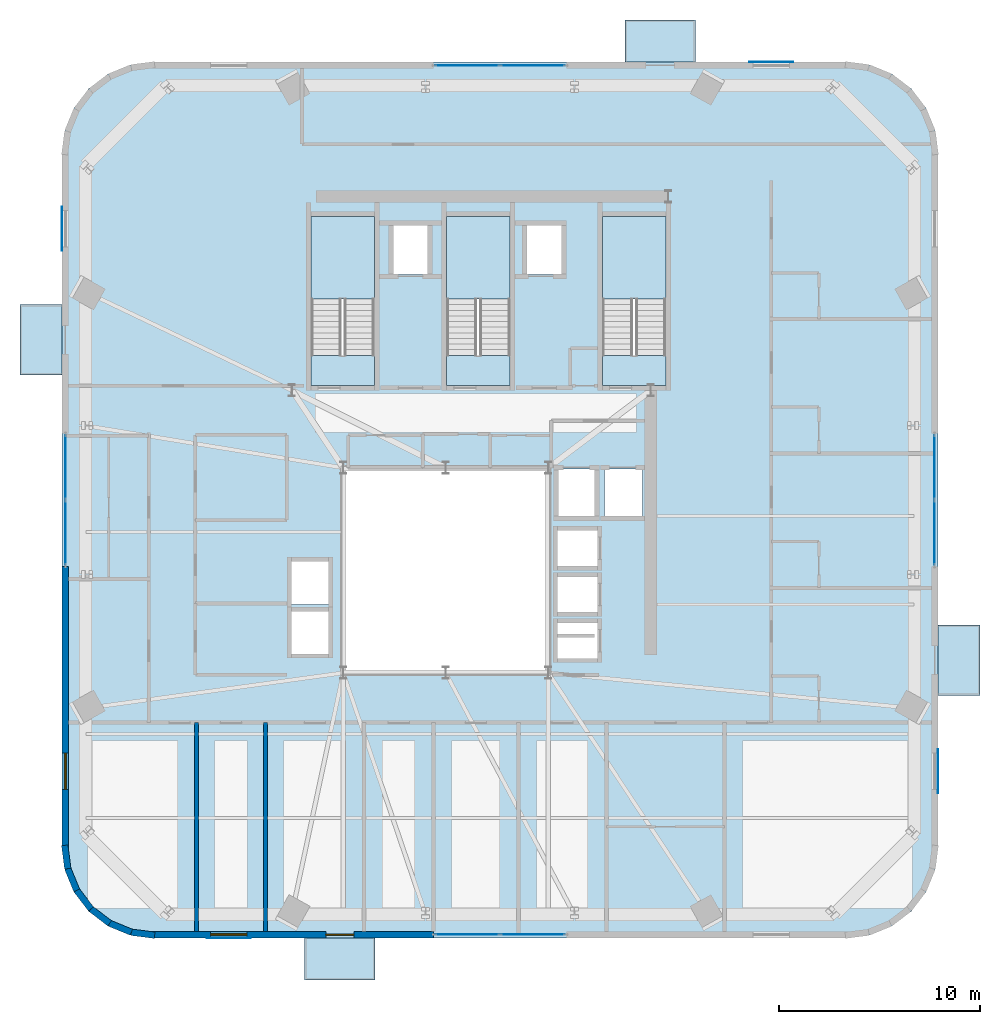
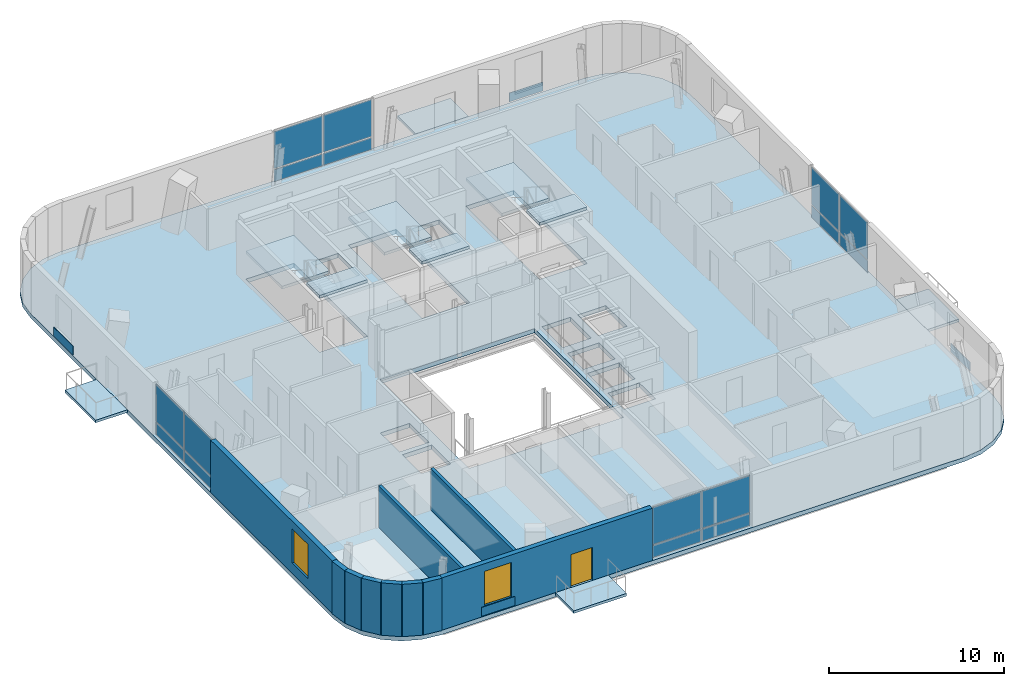
# One storey, part 6 of 14: 20 plates, 11 slabs, 10 walls, 2 windows, 1 door, 3 openings, 7 elements without a shape of their own.
"""IFC4 building model written with IfcOpenShell, lengths in metres."""

from ifc_helpers import new_model, si_unit, direction, frame, frame_2d, origin, origin_2d, place, context, subcontext, project, spatial, polyline, rectangle, outline, extrude, source, transform, mapped, material, layer, layer_set, type_object, element, fill, aggregate, save


model = new_model("IFC4")

# Units and contexts
model_context = context("Model", 3, precision=1e-05, world=origin(), true_north=direction((0.0, 1.0)))
body_context = subcontext(model_context, "Body", "Model", "MODEL_VIEW")
ifc_project = project(units=[si_unit("LENGTHUNIT", "METRE"), si_unit("AREAUNIT", "SQUARE_METRE"), si_unit("VOLUMEUNIT", "CUBIC_METRE"), si_unit("PLANEANGLEUNIT", "RADIAN"), si_unit("MASSUNIT", "GRAM", prefix="KILO")], contexts=[model_context])

# Site, building, storey
site_placement = place(None, origin())
site = spatial("IfcSite", under=ifc_project, at=site_placement, CompositionType="ELEMENT")
building_placement = place(site_placement, origin())
building = spatial("IfcBuilding", under=site, at=building_placement, Name="Vardaveli Station Tower", CompositionType="ELEMENT")
storey_placement = place(building_placement, frame((0.0, 0.0, 266.39990234375)))
storey = spatial("IfcBuildingStorey", under=building, at=storey_placement, Name="L68", CompositionType="ELEMENT", Elevation=266.39990234375)

# Stair, slabs
ifc_material_1 = material(Name="Concrete C40/50", Category="concrete")
stair_type = type_object("IfcStairType", Name="STR-CORE-1500", PredefinedType="HALF_TURN_STAIR", material=ifc_material_1)
stair_1_placement = place(storey_placement, origin())
stair_1 = element("IfcStair", 1, at=stair_1_placement, inside=storey, type_object=stair_type, Name="L68 ST-1", PredefinedType="HALF_TURN_STAIR")
ifc_layer_1 = layer(ifc_material_1, 0.199951171875, Name="Concrete C40/50")
ifc_layer_set_1 = layer_set([ifc_layer_1], Name="Concrete C40/50")
slab_type_1 = type_object("IfcSlabType", Name="SLB-LAND-200", PredefinedType="LANDING", material=ifc_layer_set_1)
slab_1_placement = place(storey_placement, frame((0.0, 0.0, 1.775146484375)))
slab_1 = element("IfcSlab", 2, at=slab_1_placement, type_object=slab_type_1, Name="ST-1 landing 1", PredefinedType="LANDING", context=body_context, shape_type="SweptSolid", body=[
    extrude(outline(polyline([(32.75, 35.199951171875), (32.75, 39.300048828125), (29.60009765625, 39.300048828125), (29.60009765625, 35.199951171875), (32.75, 35.199951171875)])), origin(), (0.0, 0.0, 1.0), 0.199951171875),
])
slab_2_placement = place(storey_placement, frame((0.0, 0.0, 3.75)))
slab_2 = element("IfcSlab", 3, at=slab_2_placement, type_object=slab_type_1, Name="ST-1 landing 2", PredefinedType="LANDING", context=body_context, shape_type="SweptSolid", body=[
    extrude(outline(polyline([(32.75, 30.89990234375), (32.75, 32.39990234375), (29.60009765625, 32.39990234375), (29.60009765625, 30.89990234375), (32.75, 30.89990234375)])), origin(), (0.0, 0.0, 1.0), 0.2001953125),
])
aggregate(stair_1, [slab_1, slab_2])

stair_2_placement = place(storey_placement, origin())
stair_2 = element("IfcStair", 4, at=stair_2_placement, inside=storey, type_object=stair_type, Name="L68 ST-2", PredefinedType="HALF_TURN_STAIR")
slab_3_placement = place(storey_placement, frame((0.0, 0.0, 1.775146484375)))
slab_3 = element("IfcSlab", 5, at=slab_3_placement, type_object=slab_type_1, Name="ST-2 landing 1", PredefinedType="LANDING", context=body_context, shape_type="SweptSolid", body=[
    extrude(outline(polyline([(39.5, 35.199951171875), (39.5, 39.300048828125), (36.35009765625, 39.300048828125), (36.35009765625, 35.199951171875), (39.5, 35.199951171875)])), origin(), (0.0, 0.0, 1.0), 0.199951171875),
])
slab_4_placement = place(storey_placement, frame((0.0, 0.0, 3.75)))
slab_4 = element("IfcSlab", 6, at=slab_4_placement, type_object=slab_type_1, Name="ST-2 landing 2", PredefinedType="LANDING", context=body_context, shape_type="SweptSolid", body=[
    extrude(outline(polyline([(39.5, 30.89990234375), (39.5, 32.39990234375), (36.35009765625, 32.39990234375), (36.35009765625, 30.89990234375), (39.5, 30.89990234375)])), origin(), (0.0, 0.0, 1.0), 0.2001953125),
])
aggregate(stair_2, [slab_3, slab_4])

stair_3_placement = place(storey_placement, origin())
stair_3 = element("IfcStair", 7, at=stair_3_placement, inside=storey, type_object=stair_type, Name="L68 ST-3", PredefinedType="HALF_TURN_STAIR")
slab_5_placement = place(storey_placement, frame((0.0, 0.0, 1.775146484375)))
slab_5 = element("IfcSlab", 8, at=slab_5_placement, type_object=slab_type_1, Name="ST-3 landing 1", PredefinedType="LANDING", context=body_context, shape_type="SweptSolid", body=[
    extrude(outline(polyline([(47.25, 35.199951171875), (47.25, 39.300048828125), (44.10009765625, 39.300048828125), (44.10009765625, 35.199951171875), (47.25, 35.199951171875)])), origin(), (0.0, 0.0, 1.0), 0.199951171875),
])
slab_6_placement = place(storey_placement, frame((0.0, 0.0, 3.75)))
slab_6 = element("IfcSlab", 9, at=slab_6_placement, type_object=slab_type_1, Name="ST-3 landing 2", PredefinedType="LANDING", context=body_context, shape_type="SweptSolid", body=[
    extrude(outline(polyline([(47.25, 30.89990234375), (47.25, 32.39990234375), (44.10009765625, 32.39990234375), (44.10009765625, 30.89990234375), (47.25, 30.89990234375)])), origin(), (0.0, 0.0, 1.0), 0.2001953125),
])
aggregate(stair_3, [slab_5, slab_6])

# Slabs
ifc_material_2 = material(Name="Precast concrete C45/55", Category="concrete")
ifc_layer_2 = layer(ifc_material_2, 0.179931640625, Name="Precast concrete C45/55")
ifc_layer_set_2 = layer_set([ifc_layer_2], Name="Precast concrete C45/55")
slab_type_2 = type_object("IfcSlabType", Name="SLB-LOGGIA-180", PredefinedType="FLOOR", material=ifc_layer_set_2)
slab_7_placement = place(storey_placement, frame((0.0, 0.0, -0.179931640625)))
element("IfcSlab", 10, at=slab_7_placement, inside=storey, type_object=slab_type_2, Name="LOG-L68-S", PredefinedType="FLOOR", context=body_context, shape_type="SweptSolid", body=[
    extrude(outline(polyline([(29.282470703125, 1.320068359375), (32.782470703125, 1.320068359375), (32.782470703125, 3.419921875), (29.282470703125, 3.419921875), (29.282470703125, 1.320068359375)])), origin(), (0.0, 0.0, 1.0), 0.179931640625),
])
slab_8_placement = place(storey_placement, frame((0.0, 0.0, -0.179931640625)))
element("IfcSlab", 11, at=slab_8_placement, inside=storey, type_object=slab_type_2, Name="LOG-L68-N", PredefinedType="FLOOR", context=body_context, shape_type="SweptSolid", body=[
    extrude(outline(polyline([(45.217529296875, 46.97998046875), (48.717529296875, 46.97998046875), (48.717529296875, 49.080078125), (45.217529296875, 49.080078125), (45.217529296875, 46.97998046875)])), origin(), (0.0, 0.0, 1.0), 0.179931640625),
])
slab_9_placement = place(storey_placement, frame((0.0, 0.0, -0.179931640625)))
element("IfcSlab", 12, at=slab_9_placement, inside=storey, type_object=slab_type_2, Name="LOG-L68-W", PredefinedType="FLOOR", context=body_context, shape_type="SweptSolid", body=[
    extrude(outline(polyline([(15.1201171875, 31.41748046875), (17.219970703125, 31.41748046875), (17.219970703125, 34.91748046875), (15.1201171875, 34.91748046875), (15.1201171875, 31.41748046875)])), origin(), (0.0, 0.0, 1.0), 0.179931640625),
])
slab_10_placement = place(storey_placement, frame((0.0, 0.0, -0.179931640625)))
element("IfcSlab", 13, at=slab_10_placement, inside=storey, type_object=slab_type_2, Name="LOG-L68-E", PredefinedType="FLOOR", context=body_context, shape_type="SweptSolid", body=[
    extrude(outline(polyline([(60.780029296875, 15.482421875), (62.8798828125, 15.482421875), (62.8798828125, 18.982421875), (60.780029296875, 18.982421875), (60.780029296875, 15.482421875)])), origin(), (0.0, 0.0, 1.0), 0.179931640625),
])
ifc_material_3 = material(Name="Concrete C50/60", Category="concrete")
ifc_layer_3 = layer(ifc_material_3, 0.300048828125, Name="Concrete C50/60")
ifc_layer_set_3 = layer_set([ifc_layer_3], Name="Concrete C50/60")
slab_type_3 = type_object("IfcSlabType", Name="SLB-REF-300", PredefinedType="FLOOR", material=ifc_layer_set_3)
slab_11_placement = place(storey_placement, frame((0.0, 0.0, -0.2998046875)))
element("IfcSlab", 14, at=slab_11_placement, inside=storey, type_object=slab_type_3, Name="SLB-L68-MAIN", PredefinedType="FLOOR", context=body_context, shape_type="SweptSolid", body=[
    extrude(outline(polyline([(17.219970703125, 7.919921875), (17.373291015625, 6.75537109375), (17.822998046875, 5.669921875), (18.5380859375, 4.738037109375), (19.469970703125, 4.02294921875), (20.555419921875, 3.5732421875), (21.719970703125, 3.419921875), (56.280029296875, 3.419921875), (57.444580078125, 3.5732421875), (58.530029296875, 4.02294921875), (59.4619140625, 4.738037109375), (60.177001953125, 5.669921875), (60.626708984375, 6.75537109375), (60.780029296875, 7.919921875), (60.780029296875, 42.47998046875), (60.626708984375, 43.644775390625), (60.177001953125, 44.72998046875), (59.4619140625, 45.661865234375), (58.530029296875, 46.377197265625), (57.444580078125, 46.82666015625), (56.280029296875, 46.97998046875), (21.719970703125, 46.97998046875), (20.555419921875, 46.82666015625), (19.469970703125, 46.377197265625), (18.5380859375, 45.661865234375), (17.822998046875, 44.72998046875), (17.373291015625, 43.644775390625), (17.219970703125, 42.47998046875), (17.219970703125, 7.919921875)]), holes=[polyline([(31.199951171875, 16.60009765625), (41.39990234375, 16.60009765625), (41.39990234375, 26.800048828125), (31.199951171875, 26.800048828125), (31.199951171875, 16.60009765625)]), polyline([(32.75, 30.89990234375), (32.75, 39.300048828125), (29.60009765625, 39.300048828125), (29.60009765625, 30.89990234375), (32.75, 30.89990234375)]), polyline([(39.5, 30.89990234375), (39.5, 39.300048828125), (36.35009765625, 39.300048828125), (36.35009765625, 30.89990234375), (39.5, 30.89990234375)]), polyline([(47.25, 30.89990234375), (47.25, 39.300048828125), (44.10009765625, 39.300048828125), (44.10009765625, 30.89990234375), (47.25, 30.89990234375)]), polyline([(33.659912109375, 36.409912109375), (35.43994140625, 36.409912109375), (35.43994140625, 38.889892578125), (33.659912109375, 38.889892578125), (33.659912109375, 36.409912109375)]), polyline([(40.31005859375, 36.409912109375), (42.090087890625, 36.409912109375), (42.090087890625, 38.889892578125), (40.31005859375, 38.889892578125), (40.31005859375, 36.409912109375)]), polyline([(41.81005859375, 21.885009765625), (43.889892578125, 21.885009765625), (43.889892578125, 23.715087890625), (41.81005859375, 23.715087890625), (41.81005859375, 21.885009765625)]), polyline([(41.81005859375, 19.5849609375), (43.889892578125, 19.5849609375), (43.889892578125, 21.4150390625), (41.81005859375, 21.4150390625), (41.81005859375, 19.5849609375)]), polyline([(41.81005859375, 17.284912109375), (43.889892578125, 17.284912109375), (43.889892578125, 19.114990234375), (41.81005859375, 19.114990234375), (41.81005859375, 17.284912109375)]), polyline([(28.5849609375, 17.510009765625), (30.514892578125, 17.510009765625), (30.514892578125, 19.68994140625), (28.5849609375, 19.68994140625), (28.5849609375, 17.510009765625)]), polyline([(28.5849609375, 20.010009765625), (30.514892578125, 20.010009765625), (30.514892578125, 22.18994140625), (28.5849609375, 22.18994140625), (28.5849609375, 20.010009765625)]), polyline([(41.860107421875, 24.360107421875), (43.739990234375, 24.360107421875), (43.739990234375, 26.739990234375), (41.860107421875, 26.739990234375), (41.860107421875, 24.360107421875)]), polyline([(44.2099609375, 24.360107421875), (46.090087890625, 24.360107421875), (46.090087890625, 26.739990234375), (44.2099609375, 26.739990234375), (44.2099609375, 24.360107421875)])]), origin(), (0.0, 0.0, 1.0), 0.2998046875),
])

# Plates
ifc_material_4 = material(Name="Honed Caucasian travertine stone", Category="masonry")
ifc_layer_4 = layer(ifc_material_4, 0.034912109375, Name="Honed Caucasian travertine stone")
ifc_layer_set_4 = layer_set([ifc_layer_4], Name="Honed Caucasian travertine stone")
plate_type_1 = type_object("IfcPlateType", Name="PLT-TRAV-35", PredefinedType="SHEET", material=ifc_layer_set_4)
shared_shape_1 = source(origin(), body_context, "Body", "SweptSolid", [
    extrude(rectangle(XDim=2.199951171875, YDim=0.034912109375, at=origin_2d()), origin(), (0.0, 0.0, 1.0), 0.6201171875),
])
for number, where, z_axis, x_axis, name in (
    (15, (25.5009765625, 3.410400390625, 0.070068359375), (0.0, 0.0, 1.0), (1.0, 0.0, 0.0), "PLT-TR-L68-S"),
    (16, (52.4990234375, 46.989501953125, 0.070068359375), (0.0, 0.0, 1.0), (1.0, 0.0, 0.0), "PLT-TR-L68-N"),
    (17, (17.21044921875, 38.698974609375, 0.070068359375), (0.0, 0.0, 1.0), (0.0, 1.0, 0.0), "PLT-TR-L68-W"),
    (18, (60.78955078125, 11.700927734375, 0.070068359375), (0.0, 0.0, 1.0), (0.0, 1.0, 0.0), "PLT-TR-L68-E"),
):
    element("IfcPlate", number, at=place(storey_placement, frame(where, z_axis=z_axis, x_axis=x_axis)), inside=storey, type_object=plate_type_1, Name=name, PredefinedType="SHEET", context=body_context, shape_type="MappedRepresentation", body=[
        mapped(shared_shape_1, transform((0.0, 0.0, 0.0), scale=1.0)),
    ])

# Curtain wall, plates
ifc_material_5 = material(Name="Travertine stone and solar-control glass", Category="masonry")
curtain_wall_type = type_object("IfcCurtainWallType", Name="CW-SYS-5", PredefinedType="NOTDEFINED", material=ifc_material_5)
curtain_wall_1_placement = place(storey_placement, origin())
curtain_wall_1 = element("IfcCurtainWall", 19, at=curtain_wall_1_placement, inside=storey, type_object=curtain_wall_type, Name="CW-L68-S", PredefinedType="NOTDEFINED")
ifc_material_6 = material(Name="Double-glazed low-E solar-control glass", Category="glass")
ifc_layer_5 = layer(ifc_material_6, 0.031982421875, Name="Double-glazed low-E solar-control glass")
ifc_layer_set_5 = layer_set([ifc_layer_5], Name="Double-glazed low-E solar-control glass")
plate_type_2 = type_object("IfcPlateType", Name="CW-SYS-5-PAN", PredefinedType="CURTAIN_PANEL", material=ifc_layer_set_5)
shared_shape_2 = source(origin(), body_context, "Body", "SweptSolid", [
    extrude(rectangle(XDim=3.179931640625, YDim=0.031982421875, at=origin_2d()), origin(), (0.0, 0.0, 1.0), 0.830078125),
])
plate_1_placement = place(storey_placement, frame((37.3701171875, 3.580078125, 0.080078125), z_axis=(0.0, 0.0, 1.0), x_axis=(1.0, 0.0, 0.0)))
plate_1 = element("IfcPlate", 20, at=plate_1_placement, type_object=plate_type_2, Name="CW-5 panel 1.1", PredefinedType="CURTAIN_PANEL", context=body_context, shape_type="MappedRepresentation", body=[
    mapped(shared_shape_2, transform((0.0, 0.0, 0.0), scale=1.0)),
])
plate_2_placement = place(storey_placement, frame((40.6298828125, 3.580078125, 0.080078125), z_axis=(0.0, 0.0, 1.0), x_axis=(1.0, 0.0, 0.0)))
plate_2 = element("IfcPlate", 21, at=plate_2_placement, type_object=plate_type_2, Name="CW-5 panel 2.1", PredefinedType="CURTAIN_PANEL", context=body_context, shape_type="MappedRepresentation", body=[
    mapped(shared_shape_2, transform((0.0, 0.0, 0.0), scale=1.0)),
])

curtain_wall_2_placement = place(storey_placement, origin())
curtain_wall_2 = element("IfcCurtainWall", 22, at=curtain_wall_2_placement, inside=storey, type_object=curtain_wall_type, Name="CW-L68-N", PredefinedType="NOTDEFINED")
plate_3_placement = place(storey_placement, frame((40.6298828125, 46.820068359375, 0.080078125), z_axis=(0.0, 0.0, 1.0), x_axis=(-1.0, 0.0, 0.0)))
plate_3 = element("IfcPlate", 23, at=plate_3_placement, type_object=plate_type_2, Name="CW-5 panel 1.1", PredefinedType="CURTAIN_PANEL", context=body_context, shape_type="MappedRepresentation", body=[
    mapped(shared_shape_2, transform((0.0, 0.0, 0.0), scale=1.0)),
])
plate_4_placement = place(storey_placement, frame((37.3701171875, 46.820068359375, 0.080078125), z_axis=(0.0, 0.0, 1.0), x_axis=(-1.0, 0.0, 0.0)))
plate_4 = element("IfcPlate", 24, at=plate_4_placement, type_object=plate_type_2, Name="CW-5 panel 2.1", PredefinedType="CURTAIN_PANEL", context=body_context, shape_type="MappedRepresentation", body=[
    mapped(shared_shape_2, transform((0.0, 0.0, 0.0), scale=1.0)),
])

curtain_wall_3_placement = place(storey_placement, origin())
curtain_wall_3 = element("IfcCurtainWall", 25, at=curtain_wall_3_placement, inside=storey, type_object=curtain_wall_type, Name="CW-L68-W", PredefinedType="NOTDEFINED")
plate_5_placement = place(storey_placement, frame((17.3798828125, 26.830078125, 0.080078125), z_axis=(0.0, 0.0, 1.0), x_axis=(0.0, -1.0, 0.0)))
plate_5 = element("IfcPlate", 26, at=plate_5_placement, type_object=plate_type_2, Name="CW-5 panel 1.1", PredefinedType="CURTAIN_PANEL", context=body_context, shape_type="MappedRepresentation", body=[
    mapped(shared_shape_2, transform((0.0, 0.0, 0.0), scale=1.0)),
])
plate_6_placement = place(storey_placement, frame((17.3798828125, 23.570068359375, 0.080078125), z_axis=(0.0, 0.0, 1.0), x_axis=(0.0, -1.0, 0.0)))
plate_6 = element("IfcPlate", 27, at=plate_6_placement, type_object=plate_type_2, Name="CW-5 panel 2.1", PredefinedType="CURTAIN_PANEL", context=body_context, shape_type="MappedRepresentation", body=[
    mapped(shared_shape_2, transform((0.0, 0.0, 0.0), scale=1.0)),
])

curtain_wall_4_placement = place(storey_placement, origin())
curtain_wall_4 = element("IfcCurtainWall", 28, at=curtain_wall_4_placement, inside=storey, type_object=curtain_wall_type, Name="CW-L68-E", PredefinedType="NOTDEFINED")
plate_7_placement = place(storey_placement, frame((60.6201171875, 23.570068359375, 0.080078125), z_axis=(0.0, 0.0, 1.0), x_axis=(0.0, 1.0, 0.0)))
plate_7 = element("IfcPlate", 29, at=plate_7_placement, type_object=plate_type_2, Name="CW-5 panel 1.1", PredefinedType="CURTAIN_PANEL", context=body_context, shape_type="MappedRepresentation", body=[
    mapped(shared_shape_2, transform((0.0, 0.0, 0.0), scale=1.0)),
])
plate_8_placement = place(storey_placement, frame((60.6201171875, 26.830078125, 0.080078125), z_axis=(0.0, 0.0, 1.0), x_axis=(0.0, 1.0, 0.0)))
plate_8 = element("IfcPlate", 30, at=plate_8_placement, type_object=plate_type_2, Name="CW-5 panel 2.1", PredefinedType="CURTAIN_PANEL", context=body_context, shape_type="MappedRepresentation", body=[
    mapped(shared_shape_2, transform((0.0, 0.0, 0.0), scale=1.0)),
])

# Plate
shared_shape_3 = source(origin(), body_context, "Body", "SweptSolid", [
    extrude(rectangle(XDim=3.179931640625, YDim=0.031982421875, at=origin_2d()), origin(), (0.0, 0.0, 1.0), 2.580078125),
])
plate_9_placement = place(storey_placement, frame((37.3701171875, 3.580078125, 0.989990234375), z_axis=(0.0, 0.0, 1.0), x_axis=(1.0, 0.0, 0.0)))
plate_9 = element("IfcPlate", 31, at=plate_9_placement, type_object=plate_type_2, Name="CW-5 panel 1.2", PredefinedType="CURTAIN_PANEL", context=body_context, shape_type="MappedRepresentation", body=[
    mapped(shared_shape_3, transform((0.0, 0.0, 0.0), scale=1.0)),
])

plate_10_placement = place(storey_placement, frame((40.6298828125, 3.580078125, 0.989990234375), z_axis=(0.0, 0.0, 1.0), x_axis=(1.0, 0.0, 0.0)))
plate_10 = element("IfcPlate", 32, at=plate_10_placement, type_object=plate_type_2, Name="CW-5 panel 2.2", PredefinedType="CURTAIN_PANEL", context=body_context, shape_type="MappedRepresentation", body=[
    mapped(shared_shape_3, transform((0.0, 0.0, 0.0), scale=1.0)),
])

aggregate(curtain_wall_1, [plate_1, plate_9, plate_2, plate_10])

plate_11_placement = place(storey_placement, frame((40.6298828125, 46.820068359375, 0.989990234375), z_axis=(0.0, 0.0, 1.0), x_axis=(-1.0, 0.0, 0.0)))
plate_11 = element("IfcPlate", 33, at=plate_11_placement, type_object=plate_type_2, Name="CW-5 panel 1.2", PredefinedType="CURTAIN_PANEL", context=body_context, shape_type="MappedRepresentation", body=[
    mapped(shared_shape_3, transform((0.0, 0.0, 0.0), scale=1.0)),
])

plate_12_placement = place(storey_placement, frame((37.3701171875, 46.820068359375, 0.989990234375), z_axis=(0.0, 0.0, 1.0), x_axis=(-1.0, 0.0, 0.0)))
plate_12 = element("IfcPlate", 34, at=plate_12_placement, type_object=plate_type_2, Name="CW-5 panel 2.2", PredefinedType="CURTAIN_PANEL", context=body_context, shape_type="MappedRepresentation", body=[
    mapped(shared_shape_3, transform((0.0, 0.0, 0.0), scale=1.0)),
])

aggregate(curtain_wall_2, [plate_3, plate_11, plate_4, plate_12])

plate_13_placement = place(storey_placement, frame((17.3798828125, 26.830078125, 0.989990234375), z_axis=(0.0, 0.0, 1.0), x_axis=(0.0, -1.0, 0.0)))
plate_13 = element("IfcPlate", 35, at=plate_13_placement, type_object=plate_type_2, Name="CW-5 panel 1.2", PredefinedType="CURTAIN_PANEL", context=body_context, shape_type="MappedRepresentation", body=[
    mapped(shared_shape_3, transform((0.0, 0.0, 0.0), scale=1.0)),
])

plate_14_placement = place(storey_placement, frame((17.3798828125, 23.570068359375, 0.989990234375), z_axis=(0.0, 0.0, 1.0), x_axis=(0.0, -1.0, 0.0)))
plate_14 = element("IfcPlate", 36, at=plate_14_placement, type_object=plate_type_2, Name="CW-5 panel 2.2", PredefinedType="CURTAIN_PANEL", context=body_context, shape_type="MappedRepresentation", body=[
    mapped(shared_shape_3, transform((0.0, 0.0, 0.0), scale=1.0)),
])

aggregate(curtain_wall_3, [plate_5, plate_13, plate_6, plate_14])

plate_15_placement = place(storey_placement, frame((60.6201171875, 23.570068359375, 0.989990234375), z_axis=(0.0, 0.0, 1.0), x_axis=(0.0, 1.0, 0.0)))
plate_15 = element("IfcPlate", 37, at=plate_15_placement, type_object=plate_type_2, Name="CW-5 panel 1.2", PredefinedType="CURTAIN_PANEL", context=body_context, shape_type="MappedRepresentation", body=[
    mapped(shared_shape_3, transform((0.0, 0.0, 0.0), scale=1.0)),
])

plate_16_placement = place(storey_placement, frame((60.6201171875, 26.830078125, 0.989990234375), z_axis=(0.0, 0.0, 1.0), x_axis=(0.0, 1.0, 0.0)))
plate_16 = element("IfcPlate", 38, at=plate_16_placement, type_object=plate_type_2, Name="CW-5 panel 2.2", PredefinedType="CURTAIN_PANEL", context=body_context, shape_type="MappedRepresentation", body=[
    mapped(shared_shape_3, transform((0.0, 0.0, 0.0), scale=1.0)),
])

aggregate(curtain_wall_4, [plate_7, plate_15, plate_8, plate_16])

# Walls
ifc_layer_6 = layer(ifc_material_2, 0.320068359375, Name="Precast concrete C45/55")
ifc_layer_set_6 = layer_set([ifc_layer_6], Name="Precast concrete C45/55")
wall_type_1 = type_object("IfcWallType", Name="WAL-EXT-STONE-320", PredefinedType="SOLIDWALL", material=ifc_layer_set_6)
shared_shape_4 = source(origin(), body_context, "Body", "SweptSolid", [
    extrude(rectangle(XDim=1.169921875, YDim=0.320068359375, at=frame_2d((0.5849609375, 0.0))), origin(), (0.0, 0.0, 1.0), 3.650146484375),
])
wall_1_placement = place(storey_placement, frame((17.345458984375, 8.01953125, 0.0), z_axis=(0.0, 0.0, 1.0), x_axis=(0.12791174929, -0.991785553632, 0.0)))
element("IfcWall", 39, at=wall_1_placement, inside=storey, type_object=wall_type_1, Name="EW-L68-CR1-1", PredefinedType="SOLIDWALL", context=body_context, shape_type="MappedRepresentation", body=[
    mapped(shared_shape_4, transform((0.0, 0.0, 0.0), scale=1.0)),
])
shared_shape_5 = source(origin(), body_context, "Body", "SweptSolid", [
    extrude(rectangle(XDim=1.1689453125, YDim=0.320068359375, at=frame_2d((0.58447265625, 0.0))), origin(), (0.0, 0.0, 1.0), 3.650146484375),
])
wall_2_placement = place(storey_placement, frame((19.578369140625, 4.140380859375, 0.0), z_axis=(0.0, 0.0, 1.0), x_axis=(0.924595894808, -0.380949381552, 0.0)))
element("IfcWall", 40, at=wall_2_placement, inside=storey, type_object=wall_type_1, Name="EW-L68-CR1-5", PredefinedType="SOLIDWALL", context=body_context, shape_type="MappedRepresentation", body=[
    mapped(shared_shape_5, transform((0.0, 0.0, 0.0), scale=1.0)),
])
shared_shape_6 = source(origin(), body_context, "Body", "SweptSolid", [
    extrude(rectangle(XDim=1.168212890625, YDim=0.320068359375, at=frame_2d((0.583984375, 0.0))), origin(), (0.0, 0.0, 1.0), 3.650146484375),
])
wall_3_placement = place(storey_placement, frame((18.651123046875, 4.85107421875, 0.0), z_axis=(0.0, 0.0, 1.0), x_axis=(0.793687078033, -0.608326246486, 0.0)))
element("IfcWall", 41, at=wall_3_placement, inside=storey, type_object=wall_type_1, Name="EW-L68-CR1-4", PredefinedType="SOLIDWALL", context=body_context, shape_type="MappedRepresentation", body=[
    mapped(shared_shape_6, transform((0.0, 0.0, 0.0), scale=1.0)),
])
shared_shape_7 = source(origin(), body_context, "Body", "SweptSolid", [
    extrude(rectangle(XDim=1.168701171875, YDim=0.320068359375, at=frame_2d((0.58447265625, 0.0))), origin(), (0.0, 0.0, 1.0), 3.650146484375),
])
wall_4_placement = place(storey_placement, frame((17.4951171875, 6.859130859375, 0.0), z_axis=(0.0, 0.0, 1.0), x_axis=(0.381022957933, -0.924565576651, 0.0)))
element("IfcWall", 42, at=wall_4_placement, inside=storey, type_object=wall_type_1, Name="EW-L68-CR1-2", PredefinedType="SOLIDWALL", context=body_context, shape_type="MappedRepresentation", body=[
    mapped(shared_shape_7, transform((0.0, 0.0, 0.0), scale=1.0)),
])
shared_shape_8 = source(origin(), body_context, "Body", "SweptSolid", [
    extrude(rectangle(XDim=1.16845703125, YDim=0.320068359375, at=frame_2d((0.584228515625, 0.0))), origin(), (0.0, 0.0, 1.0), 3.650146484375),
])
wall_5_placement = place(storey_placement, frame((17.9404296875, 5.778564453125, 0.0), z_axis=(0.0, 0.0, 1.0), x_axis=(0.60822536085, -0.79376439226, 0.0)))
element("IfcWall", 43, at=wall_5_placement, inside=storey, type_object=wall_type_1, Name="EW-L68-CR1-3", PredefinedType="SOLIDWALL", context=body_context, shape_type="MappedRepresentation", body=[
    mapped(shared_shape_8, transform((0.0, 0.0, 0.0), scale=1.0)),
])

# Wall, openings, door, window
shared_shape_9 = source(origin(), body_context, "Body", "SweptSolid", [
    extrude(rectangle(XDim=13.97998046875, YDim=0.320068359375, at=frame_2d((6.989990234375, 0.0))), origin(), (0.0, 0.0, 1.0), 3.650146484375),
])
wall_6_placement = place(storey_placement, frame((21.719970703125, 3.580078125, 0.0), z_axis=(0.0, 0.0, 1.0), x_axis=(1.0, 0.0, 0.0)))
wall_6 = element("IfcWall", 44, at=wall_6_placement, inside=storey, type_object=wall_type_1, Name="EW-L68-S1", PredefinedType="SOLIDWALL", context=body_context, shape_type="MappedRepresentation", body=[
    mapped(shared_shape_9, transform((0.0, 0.0, 0.0), scale=1.0)),
])
shared_shape_10 = source(origin(), body_context, "Body", "SweptSolid", [
    extrude(rectangle(XDim=1.39990234375, YDim=2.300048828125, at=frame_2d((0.699951171875, 1.14990234375))), frame((0.0, 0.169921875, 0.0), z_axis=(0.0, -1.0, 0.0), x_axis=(1.0, 0.0, 0.0)), (0.0, 0.0, 1.0), 0.340087890625),
])
opening_1_placement = place(wall_6_placement, frame((8.612548828125, 0.0, 0.0)))
opening_1 = element("IfcOpeningElement", 45, at=opening_1_placement, cuts=wall_6, Name="Opening D-09", PredefinedType="OPENING", context=body_context, shape_type="MappedRepresentation", body=[
    mapped(shared_shape_10, transform((0.0, 0.0, 0.0), scale=1.0)),
])
shared_shape_11 = source(origin(), body_context, "Body", "SweptSolid", [
    extrude(rectangle(XDim=1.800048828125, YDim=2.39990234375, at=frame_2d((0.89990234375, 1.199951171875))), frame((0.0, 0.169921875, 0.0), z_axis=(0.0, -1.0, 0.0), x_axis=(1.0, 0.0, 0.0)), (0.0, 0.0, 1.0), 0.340087890625),
])
opening_2_placement = place(wall_6_placement, frame((2.881103515625, 0.0, 0.719970703125)))
opening_2 = element("IfcOpeningElement", 46, at=opening_2_placement, cuts=wall_6, Name="Opening W-05", PredefinedType="OPENING", context=body_context, shape_type="MappedRepresentation", body=[
    mapped(shared_shape_11, transform((0.0, 0.0, 0.0), scale=1.0)),
])
ifc_material_7 = material(Name="Thermally broken aluminium glass", Category="aluminium")
door_type = type_object("IfcDoorType", Name="DR-LOG-1400x2300", OperationType="DOUBLE_DOOR_SLIDING", PredefinedType="DOOR", material=ifc_material_7)
shared_shape_12 = source(origin(), body_context, "Body", "SweptSolid", [
    extrude(rectangle(XDim=1.39990234375, YDim=2.300048828125, at=frame_2d((0.699951171875, 1.14990234375))), frame((0.0, 0.02490234375, 0.0), z_axis=(0.0, -1.0, 0.0), x_axis=(1.0, 0.0, 0.0)), (0.0, 0.0, 1.0), 0.050048828125),
])
door_placement = place(opening_1_placement, frame((1.39990234375, 0.0, 0.0), z_axis=(0.0, 0.0, 1.0), x_axis=(-1.0, 0.0, 0.0)))
door = element("IfcDoor", 47, at=door_placement, inside=storey, type_object=door_type, Name="DLG-L68-S", OperationType="DOUBLE_DOOR_SLIDING", OverallHeight=2.300048828125, OverallWidth=1.39990234375, PredefinedType="DOOR", context=body_context, shape_type="MappedRepresentation", body=[
    mapped(shared_shape_12, transform((0.0, 0.0, 0.0), scale=1.0)),
])
fill(opening_1, door)
ifc_material_8 = material(Name="Low-E solar-control glass", Category="glass")
window_type = type_object("IfcWindowType", Name="WIN-HIGH-1800x2400", PartitioningType="SINGLE_PANEL", PredefinedType="WINDOW", material=ifc_material_8)
shared_shape_13 = source(origin(), body_context, "Body", "SweptSolid", [
    extrude(rectangle(XDim=1.800048828125, YDim=2.39990234375, at=frame_2d((0.89990234375, 1.199951171875))), frame((0.0, 0.030029296875, 0.0), z_axis=(0.0, -1.0, 0.0), x_axis=(1.0, 0.0, 0.0)), (0.0, 0.0, 1.0), 0.06005859375),
])
window_1_placement = place(opening_2_placement, origin())
window_1 = element("IfcWindow", 48, at=window_1_placement, inside=storey, type_object=window_type, Name="WN-L68-S1", OverallHeight=2.39990234375, OverallWidth=1.800048828125, PartitioningType="SINGLE_PANEL", PredefinedType="WINDOW", context=body_context, shape_type="MappedRepresentation", body=[
    mapped(shared_shape_13, transform((0.0, 0.0, 0.0), scale=1.0)),
])
fill(opening_2, window_1)

# Wall, opening, window
wall_7_placement = place(storey_placement, frame((17.3798828125, 21.89990234375, 0.0), z_axis=(0.0, 0.0, 1.0), x_axis=(0.0, -1.0, 0.0)))
wall_7 = element("IfcWall", 49, at=wall_7_placement, inside=storey, type_object=wall_type_1, Name="EW-L68-W2", PredefinedType="SOLIDWALL", context=body_context, shape_type="MappedRepresentation", body=[
    mapped(shared_shape_9, transform((0.0, 0.0, 0.0), scale=1.0)),
])
opening_3_placement = place(wall_7_placement, frame((9.299072265625, 0.0, 0.719970703125)))
opening_3 = element("IfcOpeningElement", 50, at=opening_3_placement, cuts=wall_7, Name="Opening W-05", PredefinedType="OPENING", context=body_context, shape_type="MappedRepresentation", body=[
    mapped(shared_shape_11, transform((0.0, 0.0, 0.0), scale=1.0)),
])
window_2_placement = place(opening_3_placement, origin())
window_2 = element("IfcWindow", 51, at=window_2_placement, inside=storey, type_object=window_type, Name="WN-L68-W2", OverallHeight=2.39990234375, OverallWidth=1.800048828125, PartitioningType="SINGLE_PANEL", PredefinedType="WINDOW", context=body_context, shape_type="MappedRepresentation", body=[
    mapped(shared_shape_13, transform((0.0, 0.0, 0.0), scale=1.0)),
])
fill(opening_3, window_2)

# Walls
shared_shape_14 = source(origin(), body_context, "Body", "SweptSolid", [
    extrude(rectangle(XDim=1.169677734375, YDim=0.320068359375, at=frame_2d((0.5849609375, 0.0))), origin(), (0.0, 0.0, 1.0), 3.650146484375),
])
wall_8_placement = place(storey_placement, frame((20.6591796875, 3.695068359375, 0.0), z_axis=(0.0, 0.0, 1.0), x_axis=(0.991782138515, -0.127938226201, 0.0)))
element("IfcWall", 52, at=wall_8_placement, inside=storey, type_object=wall_type_1, Name="EW-L68-CR1-6", PredefinedType="SOLIDWALL", context=body_context, shape_type="MappedRepresentation", body=[
    mapped(shared_shape_14, transform((0.0, 0.0, 0.0), scale=1.0)),
])
ifc_material_9 = material(Name="Acoustic twin-stud gypsum partition")
ifc_layer_7 = layer(ifc_material_9, 0.199951171875, Name="Acoustic twin-stud gypsum partition")
ifc_layer_set_7 = layer_set([ifc_layer_7], Name="Acoustic twin-stud gypsum partition")
wall_type_2 = type_object("IfcWallType", Name="WAL-PARTY-200", PredefinedType="PARTITIONING", material=ifc_layer_set_7)
shared_shape_15 = source(origin(), body_context, "Body", "SweptSolid", [
    extrude(rectangle(XDim=10.387939453125, YDim=0.199951171875, at=frame_2d((5.19384765625, 0.0))), origin(), (0.0, 0.0, 1.0), 2.89208984375),
])
for number, where, z_axis, x_axis, name in (
    (53, (23.889892578125, 3.741943359375, 0.0), (0.0, 0.0, 1.0), (0.0, 1.0, 0.0), "W-L68-PS1"),
    (54, (27.340087890625, 3.741943359375, 0.0), (0.0, 0.0, 1.0), (0.0, 1.0, 0.0), "W-L68-PS2"),
):
    element("IfcWall", number, at=place(storey_placement, frame(where, z_axis=z_axis, x_axis=x_axis)), inside=storey, type_object=wall_type_2, Name=name, PredefinedType="PARTITIONING", context=body_context, shape_type="MappedRepresentation", body=[
        mapped(shared_shape_15, transform((0.0, 0.0, 0.0), scale=1.0)),
    ])

save(model, "model.ifc")
